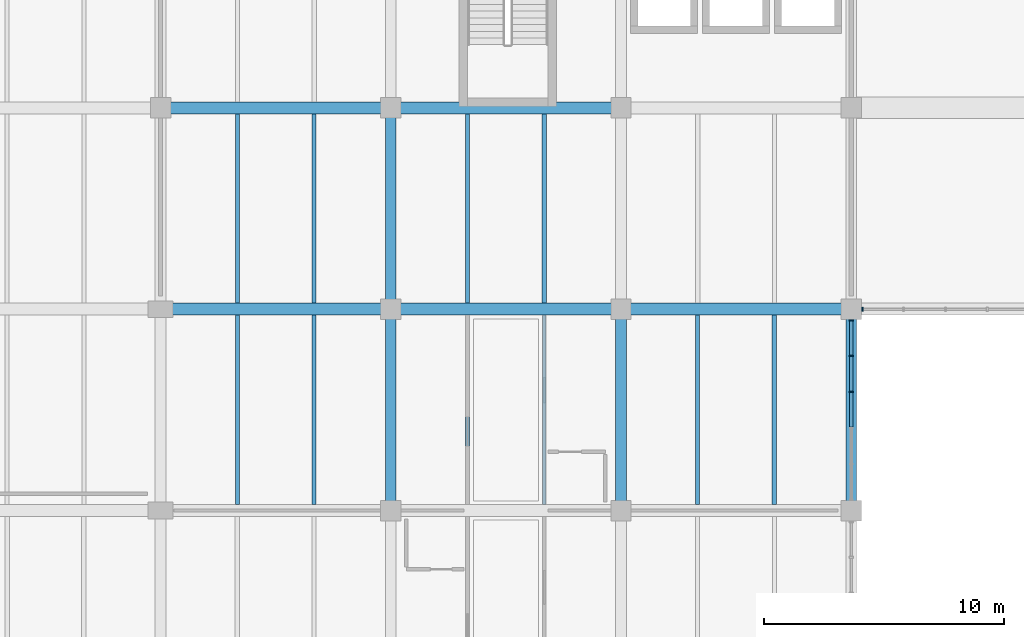
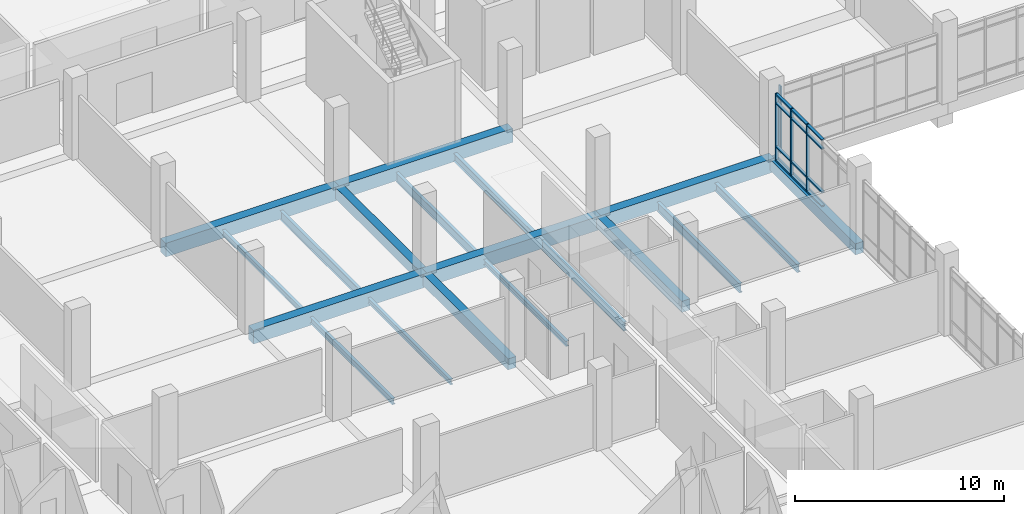
# One storey, part 28 of 152: 19 beams, 16 members, 2 elements without a shape of their own.
"""IFC4 building model written with IfcOpenShell, lengths in metres."""

import ifcopenshell
import ifcopenshell.guid

model = None  # the IFC model being written
_history = None  # IfcOwnerHistory: only IFC2X3 demands one
_inside = {}  # id of a spatial element -> (the spatial element, [elements in it])
_under = {}  # id of a project, library or spatial element -> (it, [spatial elements below it])
_declared = {}  # id of a project -> (the project, [libraries it declares])
_typed = {}  # id of a type object -> (the type object, [elements of that type])
_made_of = {}  # id of a material, layer set ... -> (it, [elements and type objects made of it])


def new_model(schema):
    """Start an empty IFC model of exactly this schema.

    Asked for "IFC4X3", IfcOpenShell would pick the latest addendum, in which some entities
    have other attributes; the version numbers below select the first issue.
    IFC2X3 requires an IfcOwnerHistory on every rooted entity: one is made here for all.
    """
    global model, _history
    if schema == "IFC4X3":
        model = ifcopenshell.file(schema_version=(4, 3, 0, 0))
    else:
        model = ifcopenshell.file(schema=schema)
    _inside.clear()
    _under.clear()
    _declared.clear()
    _typed.clear()
    _made_of.clear()
    _history = None
    if model.schema == "IFC2X3":
        org = make("IfcOrganization", Name="unknown")
        user = make(
            "IfcPersonAndOrganization",
            ThePerson=make("IfcPerson", FamilyName="unknown"),
            TheOrganization=org,
        )
        app = make(
            "IfcApplication",
            ApplicationDeveloper=org,
            Version="unknown",
            ApplicationFullName="unknown",
            ApplicationIdentifier="unknown",
        )
        _history = make(
            "IfcOwnerHistory",
            OwningUser=user,
            OwningApplication=app,
            ChangeAction="ADDED",
            CreationDate=0,
        )
    return model


def make(cls, **values):
    """One entity of the class cls with the attributes given. An attribute that is None is left unset."""
    return model.create_entity(
        cls, **{name: value for name, value in values.items() if value is not None}
    )


def rooted(cls, **values):
    """An entity with a GlobalId (a new one), such as an element, a storey or a relation."""
    return make(cls, GlobalId=ifcopenshell.guid.new(), OwnerHistory=_history, **values)


def si_unit(unit_type, name, prefix=None):
    """IfcSIUnit, for example si_unit("LENGTHUNIT", "METRE", prefix="MILLI")."""
    return make("IfcSIUnit", UnitType=unit_type, Prefix=prefix, Name=name)


def assignment(units):
    """IfcUnitAssignment: the units of a project."""
    return None if units is None else make("IfcUnitAssignment", Units=units)


def point(xyz):
    """IfcCartesianPoint."""
    return None if xyz is None else make("IfcCartesianPoint", Coordinates=xyz)


def direction(xyz):
    """IfcDirection."""
    return None if xyz is None else make("IfcDirection", DirectionRatios=xyz)


def frame(location, z_axis=None, x_axis=None):
    """IfcAxis2Placement3D, a coordinate frame: its origin and axes. An axis left out is left unset."""
    return make(
        "IfcAxis2Placement3D",
        Location=point(location),
        Axis=direction(z_axis),
        RefDirection=direction(x_axis),
    )


def frame_2d(location, x_axis=None):
    """IfcAxis2Placement2D, a coordinate frame in the plane: its origin and x axis."""
    return make(
        "IfcAxis2Placement2D", Location=point(location), RefDirection=direction(x_axis)
    )


def origin():
    """The frame at (0, 0, 0) with its axes left unset."""
    return frame((0.0, 0.0, 0.0))


def origin_2d():
    """The frame at (0, 0) in the plane with its x axis left unset."""
    return frame_2d((0.0, 0.0))


def place(relative_to, where):
    """IfcLocalPlacement: puts the frame where relative to a parent placement (None: the world)."""
    return make(
        "IfcLocalPlacement", PlacementRelTo=relative_to, RelativePlacement=where
    )


def context(
    kind, dimensions, precision=None, world=None, true_north=None, identifier=None
):
    """IfcGeometricRepresentationContext, for example the 3D "Model" context."""
    return make(
        "IfcGeometricRepresentationContext",
        ContextIdentifier=identifier,
        ContextType=kind,
        CoordinateSpaceDimension=dimensions,
        Precision=precision,
        WorldCoordinateSystem=world,
        TrueNorth=true_north,
    )


def subcontext(parent, identifier, kind, view, scale=None):
    """IfcGeometricRepresentationSubContext, for example "Body" below "Model"."""
    return make(
        "IfcGeometricRepresentationSubContext",
        ContextIdentifier=identifier,
        ContextType=kind,
        ParentContext=parent,
        TargetScale=scale,
        TargetView=view,
    )


def project(units=None, contexts=None):
    """IfcProject with its units and contexts."""
    return rooted(
        "IfcProject",
        Name="project",
        RepresentationContexts=contexts,
        UnitsInContext=assignment(units),
    )


def spatial(cls, under=None, at=None, **own):
    """A site, building, storey or space (cls), placed at a placement, below another one or the project."""
    s = rooted(cls, ObjectPlacement=at, **own)
    if under is not None:
        _under.setdefault(under.id(), (under, []))[1].append(s)
    return s


def profile(cls, at=None, kind="AREA", **sizes):
    """A parametric profile (cls). Its sizes go by their IFC names, for example OverallWidth=200.0."""
    return make(cls, ProfileType=kind, Position=at, **sizes)


def rectangle(**sizes):
    """IfcRectangleProfileDef."""
    return profile("IfcRectangleProfileDef", **sizes)


def i_section(**sizes):
    """IfcIShapeProfileDef."""
    return profile("IfcIShapeProfileDef", **sizes)


def extrude(swept, where, along, depth):
    """IfcExtrudedAreaSolid: the profile swept, set in the frame where, extruded along a direction by depth."""
    return make(
        "IfcExtrudedAreaSolid",
        SweptArea=swept,
        Position=where,
        ExtrudedDirection=direction(along),
        Depth=depth,
    )


def shape(context_of_items, identifier, shape_type, items):
    """IfcShapeRepresentation: the items that make up one representation, for example the "Body"."""
    return make(
        "IfcShapeRepresentation",
        ContextOfItems=context_of_items,
        RepresentationIdentifier=identifier,
        RepresentationType=shape_type,
        Items=items,
    )


def material(Name=None, Category=None):
    """IfcMaterial."""
    return make("IfcMaterial", Name=Name, Category=Category)


def material_profile(
    of_material, cross_section, Name=None, Category=None, Priority=None
):
    """IfcMaterialProfile: a cross section and its material."""
    return make(
        "IfcMaterialProfile",
        Name=Name,
        Material=of_material,
        Profile=cross_section,
        Priority=Priority,
        Category=Category,
    )


def profile_set(profiles, Name=None, composite=None):
    """IfcMaterialProfileSet."""
    return make(
        "IfcMaterialProfileSet",
        Name=Name,
        MaterialProfiles=profiles,
        CompositeProfile=composite,
    )


def made_of(thing, what):
    """Note that an element or type object is made of a material, layer set ...; save() writes the relation."""
    if what is not None:
        _made_of.setdefault(what.id(), (what, []))[1].append(thing)
    return thing


def type_object(cls, material=None, **own):
    """A type object (cls), such as IfcWallType, which elements share."""
    return made_of(rooted(cls, **own), material)


def element(
    cls,
    number,
    at=None,
    inside=None,
    cuts=None,
    type_object=None,
    material=None,
    context=None,
    identifier="Body",
    shape_type=None,
    held_by="IfcProductDefinitionShape",
    body=None,
    shapes=None,
    **own,
):
    """One element of the class cls, such as IfcWall. Its Tag is "e" and its number.

    at: its placement. inside: the storey or other place that contains it. cuts: it is an
    opening in that element (IfcRelVoidsElement). A single representation is given by context,
    identifier, shape_type and body (its items); several are given by shapes. held_by: the class
    of the entity that holds the representations. save() writes the other relations.
    """
    e = rooted(cls, Tag="e%d" % number, ObjectPlacement=at, **own)
    if body is not None:
        shapes = [shape(context, identifier, shape_type, body)]
    if shapes is not None:
        e.Representation = make(held_by, Representations=shapes)
    if inside is not None:
        _inside.setdefault(inside.id(), (inside, []))[1].append(e)
    if cuts is not None:
        rooted(
            "IfcRelVoidsElement", RelatingBuildingElement=cuts, RelatedOpeningElement=e
        )
    if type_object is not None:
        _typed.setdefault(type_object.id(), (type_object, []))[1].append(e)
    return made_of(e, material)


def aggregate(whole, parts):
    """IfcRelAggregates: a whole, such as a stair, and the parts it consists of."""
    return rooted("IfcRelAggregates", RelatingObject=whole, RelatedObjects=parts)


def save(model, path):
    """Write the relations noted so far, then the file.

    IfcRelAggregates (storeys below a building ...), IfcRelContainedInSpatialStructure (elements
    in a storey), IfcRelDefinesByType, IfcRelAssociatesMaterial and IfcRelDeclares: one each for
    every whole, place, type object, material and project.
    """
    for whole, parts in _under.values():
        aggregate(whole, parts)
    for where, things in _inside.values():
        rooted(
            "IfcRelContainedInSpatialStructure",
            RelatedElements=things,
            RelatingStructure=where,
        )
    for kind, things in _typed.values():
        rooted("IfcRelDefinesByType", RelatedObjects=things, RelatingType=kind)
    for what, things in _made_of.values():
        rooted("IfcRelAssociatesMaterial", RelatedObjects=things, RelatingMaterial=what)
    for by, libraries in _declared.values():
        rooted("IfcRelDeclares", RelatingContext=by, RelatedDefinitions=libraries)
    model.write(path)


model = new_model("IFC4")

# Units and contexts
model_context = context("Model", 3, precision=1e-05, world=origin(), true_north=direction((0.0, 1.0)))
body_context = subcontext(model_context, "Body", "Model", "MODEL_VIEW")
ifc_project = project(units=[si_unit("LENGTHUNIT", "METRE"), si_unit("AREAUNIT", "SQUARE_METRE"), si_unit("VOLUMEUNIT", "CUBIC_METRE"), si_unit("PLANEANGLEUNIT", "RADIAN"), si_unit("MASSUNIT", "GRAM", prefix="KILO")], contexts=[model_context])

# Site, building, storey
site_placement = place(None, origin())
site = spatial("IfcSite", under=ifc_project, at=site_placement, CompositionType="ELEMENT")
building_placement = place(site_placement, origin())
building = spatial("IfcBuilding", under=site, at=building_placement, Name="Oolite Switchyard Hospital", CompositionType="ELEMENT")
storey_placement = place(building_placement, frame((0.0, 0.0, 5.10009765625)))
storey = spatial("IfcBuildingStorey", under=building, at=storey_placement, Name="L01", CompositionType="ELEMENT", Elevation=5.10009765625)

# Beams
ifc_material_1 = material(Name="Concrete C40/50", Category="concrete")
ifc_material_profile_1 = material_profile(ifc_material_1, rectangle(XDim=0.449951171875, YDim=0.64990234375, at=origin_2d()), Name="RCB450X650")
ifc_profile_set_1 = profile_set([ifc_material_profile_1], Name="Concrete C40/50")
beam_type_1 = type_object("IfcBeamType", Name="BM-RC450X650", PredefinedType="BEAM", material=ifc_profile_set_1)
for number, where, z_axis, x_axis, name in (
    (1, (38.39990234375, 75.60009765625, -0.3251953125), (0.0, 1.0, 0.0), (-1.0, 0.0, 0.0), "L01 Y-Girder 359"),
    (2, (38.39990234375, 84.0, -0.3251953125), (0.0, 1.0, 0.0), (-1.0, 0.0, 0.0), "L01 Y-Girder 360"),
    (3, (48.0, 75.60009765625, -0.3251953125), (0.0, 1.0, 0.0), (-1.0, 0.0, 0.0), "L01 Y-Girder 375"),
    (4, (57.60009765625, 75.60009765625, -0.3251953125), (0.0, 1.0, 0.0), (-1.0, 0.0, 0.0), "L01 Y-Girder 390"),
):
    element("IfcBeam", number, at=place(storey_placement, frame(where, z_axis=z_axis, x_axis=x_axis)), inside=storey, type_object=beam_type_1, Name=name, PredefinedType="BEAM", context=body_context, shape_type="SweptSolid", body=[
        extrude(rectangle(XDim=0.449951171875, YDim=0.64990234375, at=origin_2d()), origin(), (0.0, 0.0, 1.0), 8.39990234375),
    ])
ifc_material_profile_2 = material_profile(ifc_material_1, rectangle(XDim=0.5, YDim=0.800048828125, at=origin_2d()), Name="RCB500X800")
ifc_profile_set_2 = profile_set([ifc_material_profile_2], Name="Concrete C40/50")
beam_type_2 = type_object("IfcBeamType", Name="BM-RC500X800", PredefinedType="BEAM", material=ifc_profile_set_2)
beam_1_placement = place(storey_placement, frame((28.800048828125, 84.0, -0.400146484375), z_axis=(1.0, 0.0, 0.0), x_axis=(0.0, 1.0, 0.0)))
element("IfcBeam", 5, at=beam_1_placement, inside=storey, type_object=beam_type_2, Name="L01 X-Girder 166", PredefinedType="BEAM", context=body_context, shape_type="SweptSolid", body=[
    extrude(rectangle(XDim=0.5, YDim=0.800048828125, at=origin_2d()), origin(), (0.0, 0.0, 1.0), 9.599853515625),
])
for number, where, z_axis, x_axis, name in (
    (6, (38.39990234375, 84.0, -0.400146484375), (1.0, 0.0, 0.0), (0.0, 1.0, 0.0), "L01 X-Girder 167"),
    (7, (48.0, 84.0, -0.400146484375), (1.0, 0.0, 0.0), (0.0, 1.0, 0.0), "L01 X-Girder 168"),
):
    element("IfcBeam", number, at=place(storey_placement, frame(where, z_axis=z_axis, x_axis=x_axis)), inside=storey, type_object=beam_type_2, Name=name, PredefinedType="BEAM", context=body_context, shape_type="SweptSolid", body=[
        extrude(rectangle(XDim=0.5, YDim=0.800048828125, at=origin_2d()), origin(), (0.0, 0.0, 1.0), 9.60009765625),
    ])
beam_2_placement = place(storey_placement, frame((28.800048828125, 92.39990234375, -0.400146484375), z_axis=(1.0, 0.0, 0.0), x_axis=(0.0, 1.0, 0.0)))
element("IfcBeam", 8, at=beam_2_placement, inside=storey, type_object=beam_type_2, Name="L01 X-Girder 184", PredefinedType="BEAM", context=body_context, shape_type="SweptSolid", body=[
    extrude(rectangle(XDim=0.5, YDim=0.800048828125, at=origin_2d()), origin(), (0.0, 0.0, 1.0), 9.599853515625),
])
beam_3_placement = place(storey_placement, frame((38.39990234375, 92.39990234375, -0.400146484375), z_axis=(1.0, 0.0, 0.0), x_axis=(0.0, 1.0, 0.0)))
element("IfcBeam", 9, at=beam_3_placement, inside=storey, type_object=beam_type_2, Name="L01 X-Girder 185", PredefinedType="BEAM", context=body_context, shape_type="SweptSolid", body=[
    extrude(rectangle(XDim=0.5, YDim=0.800048828125, at=origin_2d()), origin(), (0.0, 0.0, 1.0), 9.60009765625),
])
ifc_material_2 = material(Name="Steel ASTM A992 Grade 50", Category="steel")
ifc_material_profile_3 = material_profile(ifc_material_2, i_section(OverallWidth=0.1650390625, OverallDepth=0.31005859375, WebThickness=0.006103515625, FlangeThickness=0.010009765625, at=origin_2d()), Name="W12X26")
ifc_profile_set_3 = profile_set([ifc_material_profile_3], Name="Steel ASTM A992 Grade 50")
beam_type_3 = type_object("IfcBeamType", Name="BM-W12X26", PredefinedType="JOIST", material=ifc_profile_set_3)
for number, where, z_axis, x_axis, name in (
    (10, (35.199951171875, 75.85009765625, -0.455078125), (0.0, 1.0, 0.0), (-1.0, 0.0, 0.0), "L01 Secondary Steel Joist 669"),
    (11, (32.0, 84.25, -0.455078125), (0.0, 1.0, 0.0), (-1.0, 0.0, 0.0), "L01 Secondary Steel Joist 670"),
    (12, (41.60009765625, 75.85009765625, -0.455078125), (0.0, 1.0, 0.0), (-1.0, 0.0, 0.0), "L01 Secondary Steel Joist 698"),
):
    element("IfcBeam", number, at=place(storey_placement, frame(where, z_axis=z_axis, x_axis=x_axis)), inside=storey, type_object=beam_type_3, Name=name, PredefinedType="JOIST", context=body_context, shape_type="SweptSolid", body=[
        extrude(i_section(OverallWidth=0.1650390625, OverallDepth=0.31005859375, WebThickness=0.006103515625, FlangeThickness=0.010009765625, at=origin_2d()), origin(), (0.0, 0.0, 1.0), 7.89990234375),
    ])
ifc_material_profile_4 = material_profile(ifc_material_2, i_section(OverallWidth=0.1708984375, OverallDepth=0.35107421875, WebThickness=0.007080078125, FlangeThickness=0.010009765625, at=origin_2d()), Name="W14X30")
ifc_profile_set_4 = profile_set([ifc_material_profile_4], Name="Steel ASTM A992 Grade 50")
beam_type_4 = type_object("IfcBeamType", Name="BM-W14X30", PredefinedType="JOIST", material=ifc_profile_set_4)
beam_4_placement = place(storey_placement, frame((32.0, 75.85009765625, -0.47607421875), z_axis=(0.0, 1.0, 0.0), x_axis=(-1.0, 0.0, 0.0)))
element("IfcBeam", 13, at=beam_4_placement, inside=storey, type_object=beam_type_4, Name="L01 Secondary Steel Joist 668", PredefinedType="JOIST", context=body_context, shape_type="SweptSolid", body=[
    extrude(i_section(OverallWidth=0.1708984375, OverallDepth=0.35107421875, WebThickness=0.007080078125, FlangeThickness=0.010009765625, at=origin_2d()), origin(), (0.0, 0.0, 1.0), 7.89990234375),
])
ifc_material_profile_5 = material_profile(ifc_material_2, i_section(OverallWidth=0.19091796875, OverallDepth=0.4599609375, WebThickness=0.010009765625, FlangeThickness=0.01611328125, at=origin_2d()), Name="W18X55")
ifc_profile_set_5 = profile_set([ifc_material_profile_5], Name="Steel ASTM A992 Grade 50")
beam_type_5 = type_object("IfcBeamType", Name="BM-W18X55", PredefinedType="JOIST", material=ifc_profile_set_5)
for number, where, z_axis, x_axis, name in (
    (14, (44.800048828125, 84.25, -0.530029296875), (0.0, 1.0, 0.0), (-1.0, 0.0, 0.0), "L01 Secondary Steel Joist 701"),
    (15, (54.39990234375, 75.85009765625, -0.530029296875), (0.0, 1.0, 0.0), (-1.0, 0.0, 0.0), "L01 Secondary Steel Joist 727"),
):
    element("IfcBeam", number, at=place(storey_placement, frame(where, z_axis=z_axis, x_axis=x_axis)), inside=storey, type_object=beam_type_5, Name=name, PredefinedType="JOIST", context=body_context, shape_type="SweptSolid", body=[
        extrude(i_section(OverallWidth=0.19091796875, OverallDepth=0.4599609375, WebThickness=0.010009765625, FlangeThickness=0.01611328125, at=origin_2d()), origin(), (0.0, 0.0, 1.0), 7.89990234375),
    ])
ifc_material_profile_6 = material_profile(ifc_material_2, i_section(OverallWidth=0.166015625, OverallDepth=0.529052734375, WebThickness=0.010009765625, FlangeThickness=0.013916015625, at=origin_2d()), Name="W21X50")
ifc_profile_set_6 = profile_set([ifc_material_profile_6], Name="Steel ASTM A992 Grade 50")
beam_type_6 = type_object("IfcBeamType", Name="BM-W21X50", PredefinedType="JOIST", material=ifc_profile_set_6)
for number, where, z_axis, x_axis, name in (
    (16, (35.199951171875, 84.25, -0.564208984375), (0.0, 1.0, 0.0), (-1.0, 0.0, 0.0), "L01 Secondary Steel Joist 671"),
    (17, (44.800048828125, 75.85009765625, -0.564208984375), (0.0, 1.0, 0.0), (-1.0, 0.0, 0.0), "L01 Secondary Steel Joist 699"),
    (18, (41.60009765625, 84.25, -0.564208984375), (0.0, 1.0, 0.0), (-1.0, 0.0, 0.0), "L01 Secondary Steel Joist 700"),
    (19, (51.199951171875, 75.85009765625, -0.564208984375), (0.0, 1.0, 0.0), (-1.0, 0.0, 0.0), "L01 Secondary Steel Joist 726"),
):
    element("IfcBeam", number, at=place(storey_placement, frame(where, z_axis=z_axis, x_axis=x_axis)), inside=storey, type_object=beam_type_6, Name=name, PredefinedType="JOIST", context=body_context, shape_type="SweptSolid", body=[
        extrude(i_section(OverallWidth=0.166015625, OverallDepth=0.529052734375, WebThickness=0.010009765625, FlangeThickness=0.013916015625, at=origin_2d()), origin(), (0.0, 0.0, 1.0), 7.89990234375),
    ])

# Curtain wall, members
ifc_material_3 = material(Name="Thermally broken aluminum frame with laminated impact glazing", Category="aluminium")
curtain_wall_type_1 = type_object("IfcCurtainWallType", Name="CW-UNIT-84X48", PredefinedType="USERDEFINED", material=ifc_material_3)
curtain_wall_1_placement = place(storey_placement, origin())
curtain_wall_1 = element("IfcCurtainWall", 20, at=curtain_wall_1_placement, inside=storey, type_object=curtain_wall_type_1, Name="L01 Unitised Curtain Wall 173", ObjectType="UNITISED", PredefinedType="USERDEFINED")
ifc_material_4 = material(Name="Aluminium 6063-T6", Category="aluminium")
ifc_material_profile_7 = material_profile(ifc_material_4, rectangle(XDim=0.159912109375, YDim=0.06005859375, at=origin_2d()), Name="CWM60X160")
ifc_profile_set_7 = profile_set([ifc_material_profile_7], Name="Aluminium 6063-T6")
member_type_1 = type_object("IfcMemberType", Name="CW-MUL-180", PredefinedType="MULLION", material=ifc_profile_set_7)
member_1_placement = place(storey_placement, frame((57.60009765625, 83.530029296875, 0.0), z_axis=(0.0, 0.0, 1.0), x_axis=(1.0, 0.0, 0.0)))
member_1 = element("IfcMember", 21, at=member_1_placement, type_object=member_type_1, Name="CW-07 mullion 1", PredefinedType="MULLION", context=body_context, shape_type="SweptSolid", body=[
    extrude(rectangle(XDim=0.159912109375, YDim=0.06005859375, at=origin_2d()), origin(), (0.0, 0.0, 1.0), 3.93994140625),
])
member_2_placement = place(storey_placement, frame((57.60009765625, 82.055908203125, 0.0), z_axis=(0.0, 0.0, 1.0), x_axis=(1.0, 0.0, 0.0)))
member_2 = element("IfcMember", 22, at=member_2_placement, type_object=member_type_1, Name="CW-07 mullion 2", PredefinedType="MULLION", context=body_context, shape_type="SweptSolid", body=[
    extrude(rectangle(XDim=0.159912109375, YDim=0.06005859375, at=origin_2d()), origin(), (0.0, 0.0, 1.0), 3.93994140625),
])
member_3_placement = place(storey_placement, frame((57.60009765625, 80.552001953125, 0.0), z_axis=(0.0, 0.0, 1.0), x_axis=(1.0, 0.0, 0.0)))
member_3 = element("IfcMember", 23, at=member_3_placement, type_object=member_type_1, Name="CW-07 mullion 3", PredefinedType="MULLION", context=body_context, shape_type="SweptSolid", body=[
    extrude(rectangle(XDim=0.159912109375, YDim=0.06005859375, at=origin_2d()), origin(), (0.0, 0.0, 1.0), 3.93994140625),
])

# Curtain wall, member
curtain_wall_type_2 = type_object("IfcCurtainWallType", Name="CW-UNIT-96X48", PredefinedType="USERDEFINED", material=ifc_material_3)
curtain_wall_2_placement = place(storey_placement, origin())
curtain_wall_2 = element("IfcCurtainWall", 24, at=curtain_wall_2_placement, inside=storey, type_object=curtain_wall_type_2, Name="L01 Unitised Curtain Wall 138", ObjectType="UNITISED", PredefinedType="USERDEFINED")
ifc_material_profile_8 = material_profile(ifc_material_4, rectangle(XDim=0.179931640625, YDim=0.070068359375, at=origin_2d()), Name="CWM70X180")
ifc_profile_set_8 = profile_set([ifc_material_profile_8], Name="Aluminium 6063-T6")
member_type_2 = type_object("IfcMemberType", Name="CW-MUL-220", PredefinedType="MULLION", material=ifc_profile_set_8)
member_4_placement = place(storey_placement, frame((58.074951171875, 84.0, 0.0), z_axis=(0.0, 0.0, 1.0), x_axis=(0.0, -1.0, 0.0)))
member_4 = element("IfcMember", 25, at=member_4_placement, type_object=member_type_2, Name="CW-02 mullion 6", PredefinedType="MULLION", context=body_context, shape_type="SweptSolid", body=[
    extrude(rectangle(XDim=0.179931640625, YDim=0.070068359375, at=origin_2d()), origin(), (0.0, 0.0, 1.0), 3.93994140625),
])
aggregate(curtain_wall_2, [member_4])

# Member
ifc_material_profile_9 = material_profile(ifc_material_4, rectangle(XDim=0.159912109375, YDim=0.074951171875, at=origin_2d()), Name="CWT75X160")
ifc_profile_set_9 = profile_set([ifc_material_profile_9], Name="Aluminium 6063-T6")
member_type_3 = type_object("IfcMemberType", Name="CW-TRN-180", PredefinedType="USERDEFINED", material=ifc_profile_set_9)
member_5_placement = place(storey_placement, frame((57.60009765625, 83.5, 0.037353515625), z_axis=(0.0, -1.0, 0.0), x_axis=(1.0, 0.0, 0.0)))
member_5 = element("IfcMember", 26, at=member_5_placement, type_object=member_type_3, Name="CW-07 transom 1.1", ObjectType="TRANSOM", PredefinedType="USERDEFINED", context=body_context, shape_type="SweptSolid", body=[
    extrude(rectangle(XDim=0.159912109375, YDim=0.074951171875, at=origin_2d()), origin(), (0.0, 0.0, 1.0), 1.4140625),
])

member_6_placement = place(storey_placement, frame((57.60009765625, 83.5, 0.849853515625), z_axis=(0.0, -1.0, 0.0), x_axis=(1.0, 0.0, 0.0)))
member_6 = element("IfcMember", 27, at=member_6_placement, type_object=member_type_3, Name="CW-07 transom 1.2", ObjectType="TRANSOM", PredefinedType="USERDEFINED", context=body_context, shape_type="SweptSolid", body=[
    extrude(rectangle(XDim=0.159912109375, YDim=0.074951171875, at=origin_2d()), origin(), (0.0, 0.0, 1.0), 1.4140625),
])

member_7_placement = place(storey_placement, frame((57.60009765625, 83.5, 3.389892578125), z_axis=(0.0, -1.0, 0.0), x_axis=(1.0, 0.0, 0.0)))
member_7 = element("IfcMember", 28, at=member_7_placement, type_object=member_type_3, Name="CW-07 transom 1.3", ObjectType="TRANSOM", PredefinedType="USERDEFINED", context=body_context, shape_type="SweptSolid", body=[
    extrude(rectangle(XDim=0.159912109375, YDim=0.074951171875, at=origin_2d()), origin(), (0.0, 0.0, 1.0), 1.4140625),
])

member_8_placement = place(storey_placement, frame((57.60009765625, 83.5, 3.90234375), z_axis=(0.0, -1.0, 0.0), x_axis=(1.0, 0.0, 0.0)))
member_8 = element("IfcMember", 29, at=member_8_placement, type_object=member_type_3, Name="CW-07 transom 1.4", ObjectType="TRANSOM", PredefinedType="USERDEFINED", context=body_context, shape_type="SweptSolid", body=[
    extrude(rectangle(XDim=0.159912109375, YDim=0.074951171875, at=origin_2d()), origin(), (0.0, 0.0, 1.0), 1.4140625),
])

member_9_placement = place(storey_placement, frame((57.60009765625, 82.02587890625, 0.037353515625), z_axis=(0.0, -1.0, 0.0), x_axis=(1.0, 0.0, 0.0)))
member_9 = element("IfcMember", 30, at=member_9_placement, type_object=member_type_3, Name="CW-07 transom 2.1", ObjectType="TRANSOM", PredefinedType="USERDEFINED", context=body_context, shape_type="SweptSolid", body=[
    extrude(rectangle(XDim=0.159912109375, YDim=0.074951171875, at=origin_2d()), origin(), (0.0, 0.0, 1.0), 1.44384765625),
])

member_10_placement = place(storey_placement, frame((57.60009765625, 82.02587890625, 0.849853515625), z_axis=(0.0, -1.0, 0.0), x_axis=(1.0, 0.0, 0.0)))
member_10 = element("IfcMember", 31, at=member_10_placement, type_object=member_type_3, Name="CW-07 transom 2.2", ObjectType="TRANSOM", PredefinedType="USERDEFINED", context=body_context, shape_type="SweptSolid", body=[
    extrude(rectangle(XDim=0.159912109375, YDim=0.074951171875, at=origin_2d()), origin(), (0.0, 0.0, 1.0), 1.44384765625),
])

member_11_placement = place(storey_placement, frame((57.60009765625, 82.02587890625, 3.389892578125), z_axis=(0.0, -1.0, 0.0), x_axis=(1.0, 0.0, 0.0)))
member_11 = element("IfcMember", 32, at=member_11_placement, type_object=member_type_3, Name="CW-07 transom 2.3", ObjectType="TRANSOM", PredefinedType="USERDEFINED", context=body_context, shape_type="SweptSolid", body=[
    extrude(rectangle(XDim=0.159912109375, YDim=0.074951171875, at=origin_2d()), origin(), (0.0, 0.0, 1.0), 1.44384765625),
])

member_12_placement = place(storey_placement, frame((57.60009765625, 82.02587890625, 3.90234375), z_axis=(0.0, -1.0, 0.0), x_axis=(1.0, 0.0, 0.0)))
member_12 = element("IfcMember", 33, at=member_12_placement, type_object=member_type_3, Name="CW-07 transom 2.4", ObjectType="TRANSOM", PredefinedType="USERDEFINED", context=body_context, shape_type="SweptSolid", body=[
    extrude(rectangle(XDim=0.159912109375, YDim=0.074951171875, at=origin_2d()), origin(), (0.0, 0.0, 1.0), 1.44384765625),
])

member_13_placement = place(storey_placement, frame((57.60009765625, 80.52197265625, 0.037353515625), z_axis=(0.0, -1.0, 0.0), x_axis=(1.0, 0.0, 0.0)))
member_13 = element("IfcMember", 34, at=member_13_placement, type_object=member_type_3, Name="CW-07 transom 3.1", ObjectType="TRANSOM", PredefinedType="USERDEFINED", context=body_context, shape_type="SweptSolid", body=[
    extrude(rectangle(XDim=0.159912109375, YDim=0.074951171875, at=origin_2d()), origin(), (0.0, 0.0, 1.0), 1.444091796875),
])

member_14_placement = place(storey_placement, frame((57.60009765625, 80.52197265625, 0.849853515625), z_axis=(0.0, -1.0, 0.0), x_axis=(1.0, 0.0, 0.0)))
member_14 = element("IfcMember", 35, at=member_14_placement, type_object=member_type_3, Name="CW-07 transom 3.2", ObjectType="TRANSOM", PredefinedType="USERDEFINED", context=body_context, shape_type="SweptSolid", body=[
    extrude(rectangle(XDim=0.159912109375, YDim=0.074951171875, at=origin_2d()), origin(), (0.0, 0.0, 1.0), 1.444091796875),
])

member_15_placement = place(storey_placement, frame((57.60009765625, 80.52197265625, 3.389892578125), z_axis=(0.0, -1.0, 0.0), x_axis=(1.0, 0.0, 0.0)))
member_15 = element("IfcMember", 36, at=member_15_placement, type_object=member_type_3, Name="CW-07 transom 3.3", ObjectType="TRANSOM", PredefinedType="USERDEFINED", context=body_context, shape_type="SweptSolid", body=[
    extrude(rectangle(XDim=0.159912109375, YDim=0.074951171875, at=origin_2d()), origin(), (0.0, 0.0, 1.0), 1.444091796875),
])

member_16_placement = place(storey_placement, frame((57.60009765625, 80.52197265625, 3.90234375), z_axis=(0.0, -1.0, 0.0), x_axis=(1.0, 0.0, 0.0)))
member_16 = element("IfcMember", 37, at=member_16_placement, type_object=member_type_3, Name="CW-07 transom 3.4", ObjectType="TRANSOM", PredefinedType="USERDEFINED", context=body_context, shape_type="SweptSolid", body=[
    extrude(rectangle(XDim=0.159912109375, YDim=0.074951171875, at=origin_2d()), origin(), (0.0, 0.0, 1.0), 1.444091796875),
])

aggregate(curtain_wall_1, [member_1, member_2, member_3, member_5, member_6, member_7, member_8, member_9, member_10, member_11, member_12, member_13, member_14, member_15, member_16])

save(model, "model.ifc")
